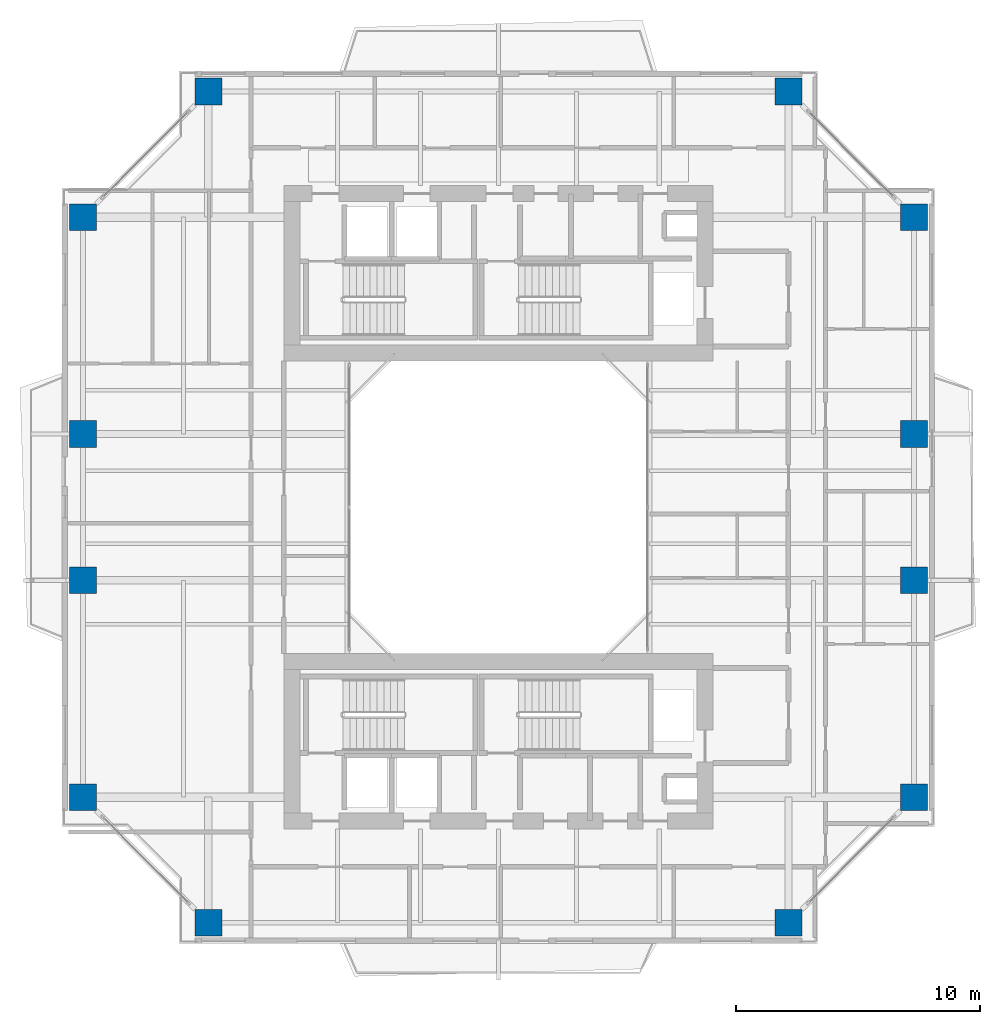
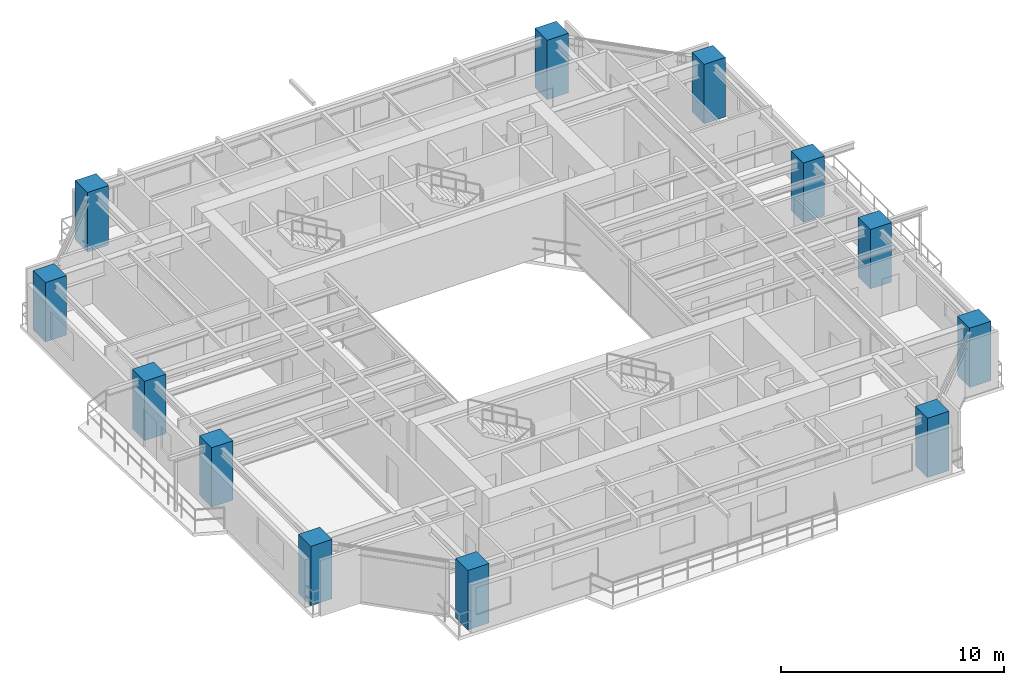
# One storey, part 1 of 17: 12 columns.
"""IFC4 building model written with IfcOpenShell, lengths in metres."""

from ifc_helpers import new_model, si_unit, direction, frame, origin, origin_2d, place, context, subcontext, project, spatial, rectangle, extrude, source, transform, mapped, material, material_profile, profile_set, type_object, element, save


model = new_model("IFC4")

# Units and contexts
model_context = context("Model", 3, precision=1e-05, world=origin(), true_north=direction((0.0, 1.0)))
body_context = subcontext(model_context, "Body", "Model", "MODEL_VIEW")
ifc_project = project(units=[si_unit("LENGTHUNIT", "METRE"), si_unit("AREAUNIT", "SQUARE_METRE"), si_unit("VOLUMEUNIT", "CUBIC_METRE"), si_unit("PLANEANGLEUNIT", "RADIAN"), si_unit("MASSUNIT", "GRAM", prefix="KILO"), si_unit("THERMODYNAMICTEMPERATUREUNIT", "KELVIN"), si_unit("POWERUNIT", "WATT")], contexts=[model_context])

# Site, building, storey
site_placement = place(None, origin())
site = spatial("IfcSite", under=ifc_project, at=site_placement, CompositionType="ELEMENT")
building_placement = place(site_placement, origin())
building = spatial("IfcBuilding", under=site, at=building_placement, Name="Qiaomeng Ring Towers", CompositionType="ELEMENT")
storey_placement = place(building_placement, frame((0.0, 0.0, 119.75)))
storey = spatial("IfcBuildingStorey", under=building, at=storey_placement, Name="L34", CompositionType="ELEMENT", Elevation=119.75)

# Columns
ifc_material = material(Name="Concrete C55", Category="concrete")
ifc_material_profile = material_profile(ifc_material, rectangle(XDim=1.10009765625, YDim=1.10009765625, at=origin_2d()), Name="RC COL 1100x1100")
ifc_profile_set = profile_set([ifc_material_profile], Name="Concrete C55")
column_type = type_object("IfcColumnType", Name="STR-COL-1100-C55", PredefinedType="COLUMN", material=ifc_profile_set)
shared_shape = source(origin(), body_context, "Body", "SweptSolid", [
    extrude(rectangle(XDim=1.10009765625, YDim=1.10009765625, at=origin_2d()), origin(), (0.0, 0.0, 1.0), 3.25),
])
for number, where, z_axis, x_axis, name in (
    (1, (7.10009765625, 5.949951171875, 0.0), (0.0, 0.0, 1.0), (1.0, 0.0, 0.0), "L34 column STR-COL-L34-T1-S1"),
    (2, (30.89990234375, 5.949951171875, 0.0), (0.0, 0.0, 1.0), (1.0, 0.0, 0.0), "L34 column STR-COL-L34-T1-S2"),
    (3, (36.050048828125, 11.10009765625, 0.0), (0.0, 0.0, 1.0), (1.0, 0.0, 0.0), "L34 column STR-COL-L34-T1-E1"),
    (4, (36.050048828125, 20.0, 0.0), (0.0, 0.0, 1.0), (1.0, 0.0, 0.0), "L34 column STR-COL-L34-T1-E2"),
    (5, (36.050048828125, 26.0, 0.0), (0.0, 0.0, 1.0), (1.0, 0.0, 0.0), "L34 column STR-COL-L34-T1-E3"),
    (6, (36.050048828125, 34.89990234375, 0.0), (0.0, 0.0, 1.0), (1.0, 0.0, 0.0), "L34 column STR-COL-L34-T1-E4"),
    (7, (30.89990234375, 40.050048828125, 0.0), (0.0, 0.0, 1.0), (1.0, 0.0, 0.0), "L34 column STR-COL-L34-T1-N2"),
    (8, (7.10009765625, 40.050048828125, 0.0), (0.0, 0.0, 1.0), (1.0, 0.0, 0.0), "L34 column STR-COL-L34-T1-N1"),
    (9, (1.949951171875, 34.89990234375, 0.0), (0.0, 0.0, 1.0), (1.0, 0.0, 0.0), "L34 column STR-COL-L34-T1-W4"),
    (10, (1.949951171875, 26.0, 0.0), (0.0, 0.0, 1.0), (1.0, 0.0, 0.0), "L34 column STR-COL-L34-T1-W3"),
    (11, (1.949951171875, 20.0, 0.0), (0.0, 0.0, 1.0), (1.0, 0.0, 0.0), "L34 column STR-COL-L34-T1-W2"),
    (12, (1.949951171875, 11.10009765625, 0.0), (0.0, 0.0, 1.0), (1.0, 0.0, 0.0), "L34 column STR-COL-L34-T1-W1"),
):
    element("IfcColumn", number, at=place(storey_placement, frame(where, z_axis=z_axis, x_axis=x_axis)), inside=storey, type_object=column_type, Name=name, PredefinedType="COLUMN", context=body_context, shape_type="MappedRepresentation", body=[
        mapped(shared_shape, transform((0.0, 0.0, 0.0), x_axis=(1.0, 0.0, 0.0), y_axis=(0.0, 1.0, 0.0), z_axis=(0.0, 0.0, 1.0), scale=1.0)),
    ])

save(model, "model.ifc")
